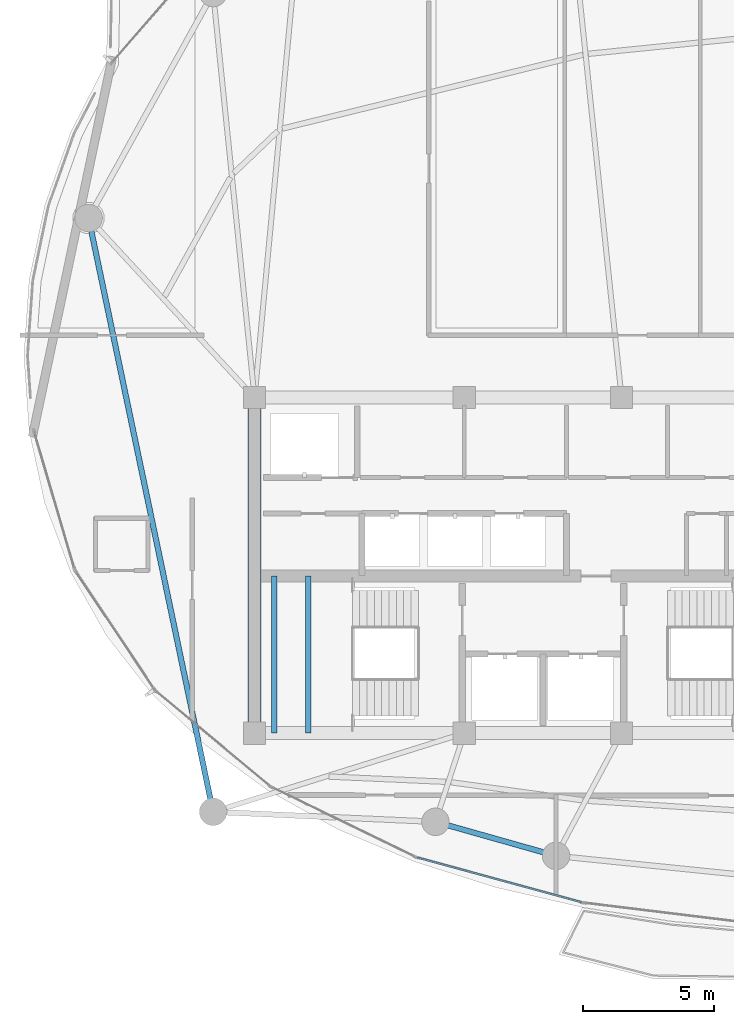
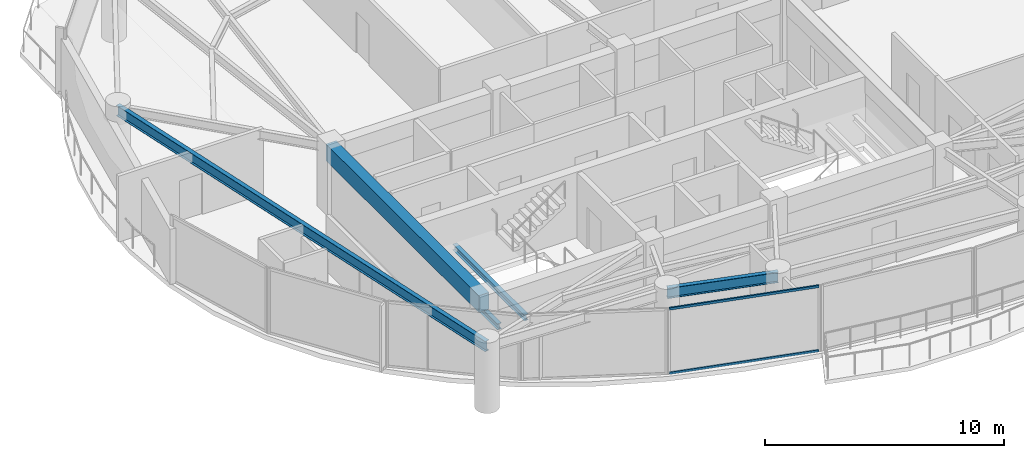
# One storey, part 4 of 28: 5 beams, 2 members, 1 element without a shape of its own.
"""IFC4 building model written with IfcOpenShell, lengths in metres."""

from ifc_helpers import new_model, si_unit, direction, frame, origin, origin_2d, place, context, subcontext, project, spatial, rectangle, hollow_rectangle, i_section, extrude, material, layer, layer_set, material_profile, profile_set, type_object, element, aggregate, save


model = new_model("IFC4")

# Units and contexts
model_context = context("Model", 3, precision=1e-05, world=origin(), true_north=direction((0.0, 1.0)))
body_context = subcontext(model_context, "Body", "Model", "MODEL_VIEW")
ifc_project = project(units=[si_unit("LENGTHUNIT", "METRE"), si_unit("AREAUNIT", "SQUARE_METRE"), si_unit("VOLUMEUNIT", "CUBIC_METRE"), si_unit("PLANEANGLEUNIT", "RADIAN"), si_unit("MASSUNIT", "GRAM", prefix="KILO")], contexts=[model_context])

# Site, building, storey
site_placement = place(None, origin())
site = spatial("IfcSite", under=ifc_project, at=site_placement, CompositionType="ELEMENT")
building_placement = place(site_placement, origin())
building = spatial("IfcBuilding", under=site, at=building_placement, Name="Kazevale Care Tower and Concert Hall", CompositionType="ELEMENT")
storey_placement = place(building_placement, frame((0.0, 0.0, 231.60009765625)))
storey = spatial("IfcBuildingStorey", under=building, at=storey_placement, Name="L61", CompositionType="ELEMENT", Elevation=231.60009765625)

# Curtain wall, members
ifc_material_1 = material(Name="Aluminium 6063-T6 and Low-E Glass", Category="aluminium")
ifc_layer = layer(ifc_material_1, 0.179931640625)
ifc_layer_set = layer_set([ifc_layer], Name="Aluminium 6063-T6 and Low-E Glass")
curtain_wall_type = type_object("IfcCurtainWallType", Name="Sheltered Concave Balcony Curtain Wall CW-5", PredefinedType="NOTDEFINED", material=ifc_layer_set)
curtain_wall_placement = place(storey_placement, origin())
curtain_wall = element("IfcCurtainWall", 1, at=curtain_wall_placement, inside=storey, type_object=curtain_wall_type, Name="cw:L61:f08", PredefinedType="NOTDEFINED")
ifc_material_2 = material(Name="Aluminium 6063-T6", Category="aluminium")
ifc_material_profile_1 = material_profile(ifc_material_2, hollow_rectangle(XDim=0.074951171875, YDim=0.1201171875, WallThickness=0.00390625, at=origin_2d()), Name="ALU75x120x4")
ifc_profile_set_1 = profile_set([ifc_material_profile_1], Name="Aluminium 6063-T6")
member_type = type_object("IfcMemberType", Name="CW-5 Transom ALU75x120x4", PredefinedType="USERDEFINED", material=ifc_profile_set_1)
member_1_placement = place(storey_placement, frame((34.458740234375, 17.15283203125, 0.037353515625), z_axis=(-0.964843890632, 0.262823641842, 0.0), x_axis=(-0.262823641842, -0.964843890632, 0.0)))
member_1 = element("IfcMember", 2, at=member_1_placement, type_object=member_type, Name="CW-5 transom 1.1", ObjectType="TRANSOM", PredefinedType="USERDEFINED", context=body_context, shape_type="SweptSolid", body=[
    extrude(hollow_rectangle(XDim=0.074951171875, YDim=0.1201171875, WallThickness=0.00390625, at=origin_2d()), origin(), (0.0, 0.0, 1.0), 6.469970703125),
])
member_2_placement = place(storey_placement, frame((34.458740234375, 17.15283203125, 3.322509765625), z_axis=(-0.964843890632, 0.262823641842, 0.0), x_axis=(-0.262823641842, -0.964843890632, 0.0)))
member_2 = element("IfcMember", 3, at=member_2_placement, type_object=member_type, Name="CW-5 transom 1.2", ObjectType="TRANSOM", PredefinedType="USERDEFINED", context=body_context, shape_type="SweptSolid", body=[
    extrude(hollow_rectangle(XDim=0.074951171875, YDim=0.1201171875, WallThickness=0.00390625, at=origin_2d()), origin(), (0.0, 0.0, 1.0), 6.469970703125),
])
aggregate(curtain_wall, [member_1, member_2])

# Beams
ifc_material_3 = material(Name="Concrete C60", Category="concrete")
ifc_material_profile_2 = material_profile(ifc_material_3, rectangle(XDim=0.5, YDim=0.85009765625, at=origin_2d()), Name="RC-B500x850")
ifc_profile_set_2 = profile_set([ifc_material_profile_2], Name="Concrete C60")
beam_type_1 = type_object("IfcBeamType", Name="Core Coupling Beam RC500x850", PredefinedType="LINTEL", material=ifc_profile_set_2)
beam_1_placement = place(storey_placement, frame((22.0, 36.39990234375, 2.934814453125), z_axis=(0.0, -1.0, 0.0), x_axis=(1.0, 0.0, 0.0)))
element("IfcBeam", 4, at=beam_1_placement, inside=storey, type_object=beam_type_1, Name="beam:L61:coretie:8", PredefinedType="LINTEL", context=body_context, shape_type="SweptSolid", body=[
    extrude(rectangle(XDim=0.5, YDim=0.85009765625, at=origin_2d()), origin(), (0.0, 0.0, 1.0), 12.7998046875),
])
ifc_material_4 = material(Name="Steel ASTM A572 Gr 50", Category="steel")
ifc_material_profile_3 = material_profile(ifc_material_4, i_section(OverallWidth=0.202880859375, OverallDepth=0.302978515625, WebThickness=0.007568359375, FlangeThickness=0.01318359375, at=origin_2d()), Name="W310x60")
ifc_profile_set_3 = profile_set([ifc_material_profile_3], Name="Steel ASTM A572 Gr 50")
beam_type_2 = type_object("IfcBeamType", Name="Stair & Balcony Trimmer W310x60", PredefinedType="BEAM", material=ifc_profile_set_3)
for number, where, z_axis, x_axis, name in (
    (5, (22.75, 23.60009765625, 1.448486328125), (0.0, 1.0, 0.0), (-1.0, 0.0, 0.0), "beam:L61:sttrim:ST1"),
    (6, (24.050048828125, 23.60009765625, 1.448486328125), (0.0, 1.0, 0.0), (-1.0, 0.0, 0.0), "beam:L61:sttrim:ST1b"),
):
    element("IfcBeam", number, at=place(storey_placement, frame(where, z_axis=z_axis, x_axis=x_axis)), inside=storey, type_object=beam_type_2, Name=name, PredefinedType="BEAM", context=body_context, shape_type="SweptSolid", body=[
        extrude(i_section(OverallWidth=0.202880859375, OverallDepth=0.302978515625, WebThickness=0.007568359375, FlangeThickness=0.01318359375, at=origin_2d()), origin(), (0.0, 0.0, 1.0), 6.0),
    ])
ifc_material_profile_4 = material_profile(ifc_material_4, i_section(OverallWidth=0.208984375, OverallDepth=0.532958984375, WebThickness=0.01025390625, FlangeThickness=0.015625, at=origin_2d()), Name="W530x92")
ifc_profile_set_4 = profile_set([ifc_material_profile_4], Name="Steel ASTM A572 Gr 50")
beam_type_3 = type_object("IfcBeamType", Name="Upper Ring Beam W530x92", PredefinedType="BEAM", material=ifc_profile_set_4)
beam_2_placement = place(storey_placement, frame((15.669921875, 43.25, 3.093505859375), z_axis=(0.205249071222, -0.978709772488, 0.0), x_axis=(0.978709772488, 0.205249071222, 0.0)))
element("IfcBeam", 7, at=beam_2_placement, inside=storey, type_object=beam_type_3, Name="beam:L61:ring:09", PredefinedType="BEAM", context=body_context, shape_type="SweptSolid", body=[
    extrude(i_section(OverallWidth=0.208984375, OverallDepth=0.532958984375, WebThickness=0.01025390625, FlangeThickness=0.015625, at=origin_2d()), origin(), (0.0, 0.0, 1.0), 23.142578125),
])
beam_3_placement = place(storey_placement, frame((28.89990234375, 20.219970703125, 3.093505859375), z_axis=(0.962308240836, -0.271961117846, 0.0), x_axis=(0.271961117846, 0.962308240836, 0.0)))
element("IfcBeam", 8, at=beam_3_placement, inside=storey, type_object=beam_type_3, Name="beam:L61:ring:11", PredefinedType="BEAM", context=body_context, shape_type="SweptSolid", body=[
    extrude(i_section(OverallWidth=0.208984375, OverallDepth=0.532958984375, WebThickness=0.01025390625, FlangeThickness=0.015625, at=origin_2d()), origin(), (0.0, 0.0, 1.0), 4.7802734375),
])

save(model, "model.ifc")
